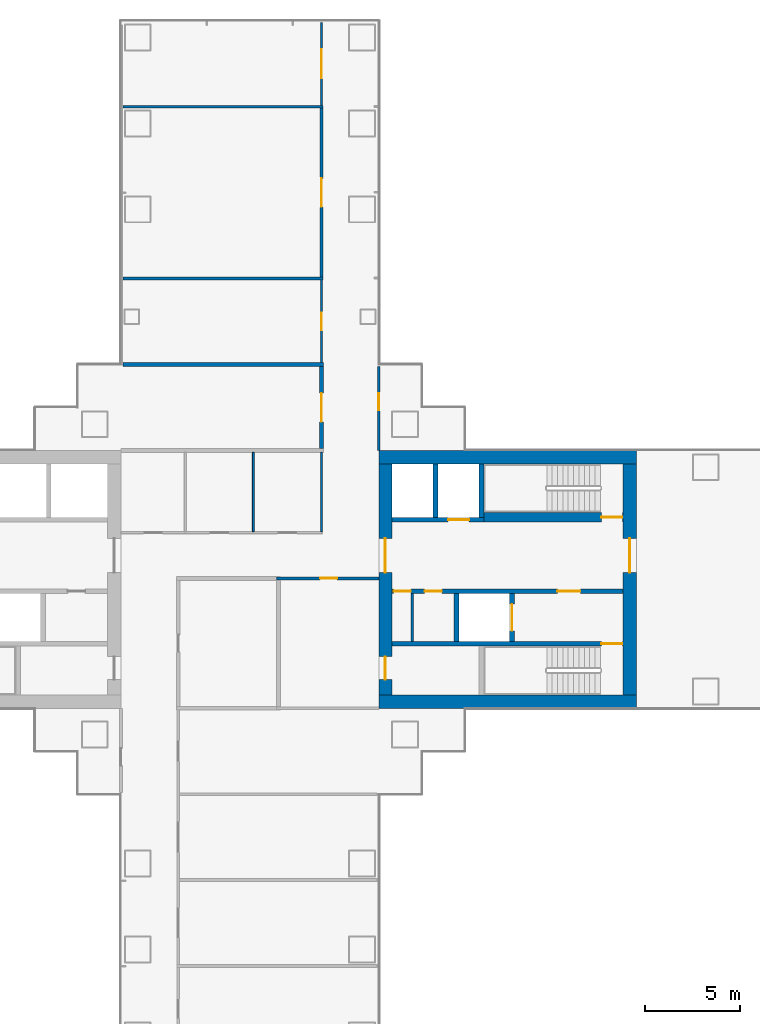
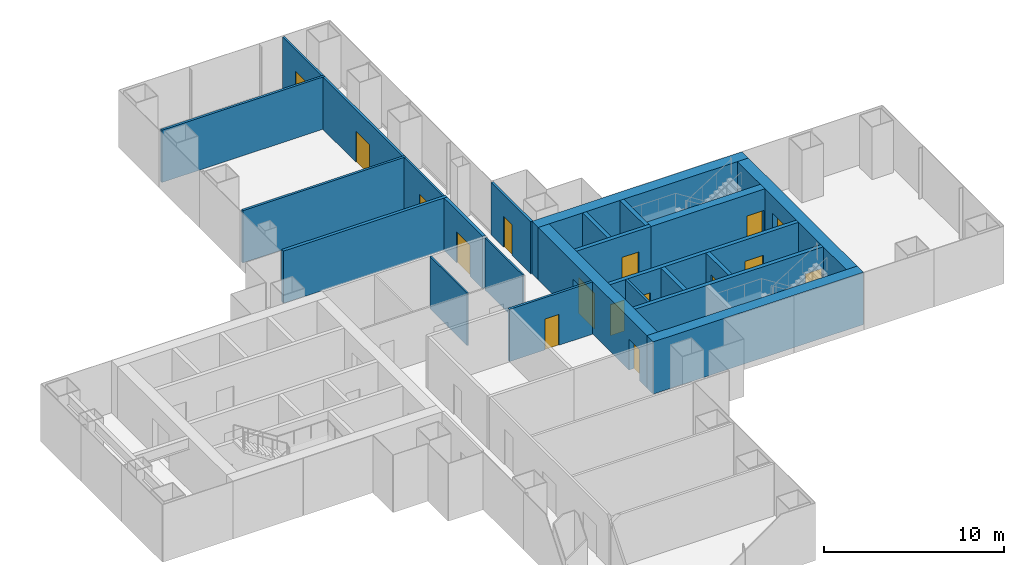
# One storey, part 17 of 21: 24 walls, 16 doors, 16 openings.
"""IFC4 building model written with IfcOpenShell, lengths in metres."""

from ifc_helpers import new_model, si_unit, direction, frame, frame_2d, origin, place, context, subcontext, project, spatial, rectangle, extrude, material, layer, layer_set, type_object, element, fill, save


model = new_model("IFC4")

# Units and contexts
model_context = context("Model", 3, precision=1e-05, world=origin(), true_north=direction((0.0, 1.0)))
body_context = subcontext(model_context, "Body", "Model", "MODEL_VIEW")
ifc_project = project(units=[si_unit("LENGTHUNIT", "METRE"), si_unit("AREAUNIT", "SQUARE_METRE"), si_unit("VOLUMEUNIT", "CUBIC_METRE"), si_unit("PLANEANGLEUNIT", "RADIAN"), si_unit("MASSUNIT", "GRAM", prefix="KILO")], contexts=[model_context])

# Site, building, storey
site_placement = place(None, origin())
site = spatial("IfcSite", under=ifc_project, at=site_placement, CompositionType="ELEMENT")
building_placement = place(site_placement, origin())
building = spatial("IfcBuilding", under=site, at=building_placement, Name="Shamsa Quay Exchange Towers", CompositionType="ELEMENT")
storey_placement = place(building_placement, frame((0.0, 0.0, 42.0)))
storey = spatial("IfcBuildingStorey", under=building, at=storey_placement, Name="L08", CompositionType="ELEMENT", Elevation=42.0)

# Walls
ifc_material_1 = material(Name="Concrete C80/95", Category="concrete")
ifc_layer_1 = layer(ifc_material_1, 0.699951171875)
ifc_layer_set_1 = layer_set([ifc_layer_1], Name="CORE WALL 700 C80/95")
wall_type_1 = type_object("IfcWallType", Name="CORE WALL 700 C80/95", PredefinedType="SHEAR", material=ifc_layer_set_1)
for number, where, z_axis, x_axis, name in (
    (1, (54.0, -6.39990234375, 0.0), (0.0, 0.0, 1.0), (-1.0, 0.0, 0.0), "Core wall T2B-R03-PS"),
    (2, (54.0, 6.39990234375, 0.0), (0.0, 0.0, 1.0), (-1.0, 0.0, 0.0), "Core wall T2B-R03-PN"),
):
    element("IfcWall", number, at=place(storey_placement, frame(where, z_axis=z_axis, x_axis=x_axis)), inside=storey, type_object=wall_type_1, Name=name, PredefinedType="SHEAR", context=body_context, shape_type="SweptSolid", body=[
        extrude(rectangle(XDim=13.5, YDim=0.699951171875, at=frame_2d((6.75, 0.0))), origin(), (0.0, 0.0, 1.0), 3.550048828125),
    ])

# Wall, opening, door
wall_1_placement = place(storey_placement, frame((53.64990234375, -6.050048828125, 0.0), z_axis=(0.0, 0.0, 1.0), x_axis=(0.0, 1.0, 0.0)))
wall_1 = element("IfcWall", 3, at=wall_1_placement, inside=storey, type_object=wall_type_1, Name="Core wall T2B-R03-PF", PredefinedType="SHEAR", context=body_context, shape_type="SweptSolid", body=[
    extrude(rectangle(XDim=12.10009765625, YDim=0.699951171875, at=frame_2d((6.050048828125, 0.0))), origin(), (0.0, 0.0, 1.0), 3.550048828125),
])
opening_1_placement = place(wall_1_placement, frame((6.39990234375, 0.0, 0.0)))
opening_1 = element("IfcOpeningElement", 4, at=opening_1_placement, cuts=wall_1, Name="Opening T2B-R03-LBD01", PredefinedType="OPENING", context=body_context, shape_type="SweptSolid", body=[
    extrude(rectangle(XDim=1.800048828125, YDim=2.39990234375, at=frame_2d((0.89990234375, 1.199951171875))), frame((0.0, 0.35986328125, 0.0), z_axis=(0.0, -1.0, 0.0), x_axis=(1.0, 0.0, 0.0)), (0.0, 0.0, 1.0), 0.719970703125),
])
ifc_material_2 = material(Name="Steel, fire rated", Category="steel")
door_type_1 = type_object("IfcDoorType", Name="LIFT LOBBY DOOR PAIR 1800", OperationType="DOUBLE_DOOR_SINGLE_SWING", PredefinedType="DOOR", material=ifc_material_2)
door_1_placement = place(opening_1_placement, origin())
door_1 = element("IfcDoor", 5, at=door_1_placement, inside=storey, type_object=door_type_1, Name="T2B-R03-LBD01", OperationType="DOUBLE_DOOR_SINGLE_SWING", OverallHeight=2.39990234375, OverallWidth=1.800048828125, PredefinedType="DOOR", context=body_context, shape_type="SweptSolid", body=[
    extrude(rectangle(XDim=1.800048828125, YDim=2.39990234375, at=frame_2d((0.89990234375, 1.199951171875))), frame((0.0, 0.02490234375, 0.0), z_axis=(0.0, -1.0, 0.0), x_axis=(1.0, 0.0, 0.0)), (0.0, 0.0, 1.0), 0.050048828125),
])
fill(opening_1, door_1)

# Wall, openings, doors
wall_2_placement = place(storey_placement, frame((40.85009765625, -6.050048828125, 0.0), z_axis=(0.0, 0.0, 1.0), x_axis=(0.0, 1.0, 0.0)))
wall_2 = element("IfcWall", 6, at=wall_2_placement, inside=storey, type_object=wall_type_1, Name="Core wall T2B-R03-PB", PredefinedType="SHEAR", context=body_context, shape_type="SweptSolid", body=[
    extrude(rectangle(XDim=12.10009765625, YDim=0.699951171875, at=frame_2d((6.050048828125, 0.0))), origin(), (0.0, 0.0, 1.0), 3.550048828125),
])
opening_2_placement = place(wall_2_placement, frame((0.800048828125, 0.0, 0.0)))
opening_2 = element("IfcOpeningElement", 7, at=opening_2_placement, cuts=wall_2, Name="Opening T2B-R03-RD02", PredefinedType="OPENING", context=body_context, shape_type="SweptSolid", body=[
    extrude(rectangle(XDim=1.199951171875, YDim=2.10009765625, at=frame_2d((0.60009765625, 1.050048828125))), frame((0.0, 0.35986328125, 0.0), z_axis=(0.0, -1.0, 0.0), x_axis=(1.0, 0.0, 0.0)), (0.0, 0.0, 1.0), 0.719970703125),
])
opening_3_placement = place(wall_2_placement, frame((6.39990234375, 0.0, 0.0)))
opening_3 = element("IfcOpeningElement", 8, at=opening_3_placement, cuts=wall_2, Name="Opening T2B-R03-LBD03", PredefinedType="OPENING", context=body_context, shape_type="SweptSolid", body=[
    extrude(rectangle(XDim=1.800048828125, YDim=2.39990234375, at=frame_2d((0.89990234375, 1.199951171875))), frame((0.0, 0.35986328125, 0.0), z_axis=(0.0, -1.0, 0.0), x_axis=(1.0, 0.0, 0.0)), (0.0, 0.0, 1.0), 0.719970703125),
])
door_2_placement = place(opening_3_placement, origin())
door_2 = element("IfcDoor", 9, at=door_2_placement, inside=storey, type_object=door_type_1, Name="T2B-R03-LBD03", OperationType="DOUBLE_DOOR_SINGLE_SWING", OverallHeight=2.39990234375, OverallWidth=1.800048828125, PredefinedType="DOOR", context=body_context, shape_type="SweptSolid", body=[
    extrude(rectangle(XDim=1.800048828125, YDim=2.39990234375, at=frame_2d((0.89990234375, 1.199951171875))), frame((0.0, 0.02490234375, 0.0), z_axis=(0.0, -1.0, 0.0), x_axis=(1.0, 0.0, 0.0)), (0.0, 0.0, 1.0), 0.050048828125),
])
fill(opening_3, door_2)
door_type_2 = type_object("IfcDoorType", Name="RISER ACCESS DOOR 1200", OperationType="SINGLE_SWING_LEFT", PredefinedType="DOOR", material=ifc_material_2)
door_3_placement = place(opening_2_placement, origin())
door_3 = element("IfcDoor", 10, at=door_3_placement, inside=storey, type_object=door_type_2, Name="T2B-R03-RD02", OperationType="SINGLE_SWING_LEFT", OverallHeight=2.10009765625, OverallWidth=1.199951171875, PredefinedType="DOOR", context=body_context, shape_type="SweptSolid", body=[
    extrude(rectangle(XDim=1.199951171875, YDim=2.10009765625, at=frame_2d((0.60009765625, 1.050048828125))), frame((0.0, 0.02490234375, 0.0), z_axis=(0.0, -1.0, 0.0), x_axis=(1.0, 0.0, 0.0)), (0.0, 0.0, 1.0), 0.050048828125),
])
fill(opening_2, door_3)

# Wall
ifc_material_3 = material(Name="Gypsum board on steel studs, EI 60", Category="steel")
ifc_layer_2 = layer(ifc_material_3, 0.14990234375)
ifc_layer_set_2 = layer_set([ifc_layer_2], Name="FIRE PARTITION 150")
wall_type_2 = type_object("IfcWallType", Name="FIRE PARTITION 150", PredefinedType="PARTITIONING", material=ifc_layer_set_2)
wall_3_placement = place(storey_placement, frame((42.25, -3.25, 0.0), z_axis=(0.0, 0.0, 1.0), x_axis=(0.0, 1.0, 0.0)))
element("IfcWall", 11, at=wall_3_placement, inside=storey, type_object=wall_type_2, Name="Partition T2B-R03-EC0", PredefinedType="PARTITIONING", context=body_context, shape_type="SweptSolid", body=[
    extrude(rectangle(XDim=2.5, YDim=0.14990234375, at=frame_2d((1.25, 0.0))), origin(), (0.0, 0.0, 1.0), 3.550048828125),
])

# Wall, opening, door
ifc_material_4 = material(Name="Laminated fire-resisting glass in a metal frame", Category="glass")
ifc_layer_3 = layer(ifc_material_4, 0.125)
ifc_layer_set_3 = layer_set([ifc_layer_3], Name="Glazed partition 125 mm EI 60")
wall_type_3 = type_object("IfcWallType", Name="Glazed partition 125 mm EI 60", PredefinedType="PARTITIONING", material=ifc_layer_set_3)
wall_4_placement = place(storey_placement, frame((37.5, 24.824951171875, 0.0), z_axis=(0.0, 0.0, 1.0), x_axis=(0.0, 1.0, 0.0)))
wall_4 = element("IfcWall", 12, at=wall_4_placement, inside=storey, type_object=wall_type_3, Name="Partition T2-R03-W02", PredefinedType="PARTITIONING", context=body_context, shape_type="SweptSolid", body=[
    extrude(rectangle(XDim=4.330078125, YDim=0.125, at=frame_2d((2.1650390625, 0.0))), origin(), (0.0, 0.0, 1.0), 3.550048828125),
])
opening_4_placement = place(wall_4_placement, frame((1.425048828125, 0.0, 0.0)))
opening_4 = element("IfcOpeningElement", 13, at=opening_4_placement, cuts=wall_4, Name="Opening T2-R03-D08", PredefinedType="OPENING", context=body_context, shape_type="SweptSolid", body=[
    extrude(rectangle(XDim=1.5, YDim=2.10009765625, at=frame_2d((0.75, 1.050048828125))), frame((0.0, 0.072509765625, 0.0), z_axis=(0.0, -1.0, 0.0), x_axis=(1.0, 0.0, 0.0)), (0.0, 0.0, 1.0), 0.14501953125),
])
ifc_material_5 = material(Name="Timber door leaf in a metal frame", Category="wood")
door_type_3 = type_object("IfcDoorType", Name="Door 1500x2100 FD30S pair", OperationType="NOTDEFINED", PredefinedType="DOOR", material=ifc_material_5)
door_4_placement = place(opening_4_placement, origin())
door_4 = element("IfcDoor", 14, at=door_4_placement, inside=storey, type_object=door_type_3, Name="Door T2-R03-D08", OperationType="DOUBLE_DOOR_SINGLE_SWING", OverallHeight=2.10009765625, OverallWidth=1.5, PredefinedType="DOOR", context=body_context, shape_type="SweptSolid", body=[
    extrude(rectangle(XDim=1.5, YDim=2.10009765625, at=frame_2d((0.75, 1.050048828125))), frame((0.0, 0.02490234375, 0.0), z_axis=(0.0, -1.0, 0.0), x_axis=(1.0, 0.0, 0.0)), (0.0, 0.0, 1.0), 0.050048828125),
])
fill(opening_4, door_4)

wall_5_placement = place(storey_placement, frame((37.5, 11.35009765625, 0.0), z_axis=(0.0, 0.0, 1.0), x_axis=(0.0, 1.0, 0.0)))
wall_5 = element("IfcWall", 15, at=wall_5_placement, inside=storey, type_object=wall_type_3, Name="Partition T2-R03-W03", PredefinedType="PARTITIONING", context=body_context, shape_type="SweptSolid", body=[
    extrude(rectangle(XDim=4.324951171875, YDim=0.125, at=frame_2d((2.16259765625, 0.0))), origin(), (0.0, 0.0, 1.0), 3.550048828125),
])
opening_5_placement = place(wall_5_placement, frame((1.699951171875, 0.0, 0.0)))
opening_5 = element("IfcOpeningElement", 16, at=opening_5_placement, cuts=wall_5, Name="Opening T2-R03-D06", PredefinedType="OPENING", context=body_context, shape_type="SweptSolid", body=[
    extrude(rectangle(XDim=0.89990234375, YDim=2.10009765625, at=frame_2d((0.449951171875, 1.050048828125))), frame((0.0, 0.072509765625, 0.0), z_axis=(0.0, -1.0, 0.0), x_axis=(1.0, 0.0, 0.0)), (0.0, 0.0, 1.0), 0.14501953125),
])
door_type_4 = type_object("IfcDoorType", Name="Door 900x2100 FD30S", OperationType="NOTDEFINED", PredefinedType="DOOR", material=ifc_material_5)
door_5_placement = place(opening_5_placement, origin())
door_5 = element("IfcDoor", 17, at=door_5_placement, inside=storey, type_object=door_type_4, Name="Door T2-R03-D06", OperationType="SINGLE_SWING_RIGHT", OverallHeight=2.10009765625, OverallWidth=0.89990234375, PredefinedType="DOOR", context=body_context, shape_type="SweptSolid", body=[
    extrude(rectangle(XDim=0.89990234375, YDim=2.10009765625, at=frame_2d((0.449951171875, 1.050048828125))), frame((0.0, 0.02490234375, 0.0), z_axis=(0.0, -1.0, 0.0), x_axis=(1.0, 0.0, 0.0)), (0.0, 0.0, 1.0), 0.050048828125),
])
fill(opening_5, door_5)

# Walls
ifc_material_6 = material(Name="Gypsum board partition on metal studs")
ifc_layer_4 = layer(ifc_material_6, 0.10009765625)
ifc_layer_set_4 = layer_set([ifc_layer_4], Name="Partition 100 mm NOT RATED")
wall_type_4 = type_object("IfcWallType", Name="Partition 100 mm NOT RATED", PredefinedType="PARTITIONING", material=ifc_layer_set_4)
for number, where, z_axis, x_axis, name in (
    (18, (37.5, 2.500244140625, 0.0), (0.0, 0.0, 1.0), (0.0, 1.0, 0.0), "Partition T2-R03-W05"),
    (19, (33.9375, 6.64990234375, 0.0), (0.0, 0.0, 1.0), (0.0, -1.0, 0.0), "Partition T2-R03-W18"),
):
    element("IfcWall", number, at=place(storey_placement, frame(where, z_axis=z_axis, x_axis=x_axis)), inside=storey, type_object=wall_type_4, Name=name, PredefinedType="PARTITIONING", context=body_context, shape_type="SweptSolid", body=[
        extrude(rectangle(XDim=4.149658203125, YDim=0.10009765625, at=frame_2d((2.07470703125, 0.0))), origin(), (0.0, 0.0, 1.0), 3.550048828125),
    ])

# Wall, opening, door
ifc_layer_5 = layer(ifc_material_6, 0.14990234375)
ifc_layer_set_5 = layer_set([ifc_layer_5], Name="Partition 150 mm EI 60")
wall_type_5 = type_object("IfcWallType", Name="Partition 150 mm EI 60", PredefinedType="PARTITIONING", material=ifc_layer_set_5)
wall_6_placement = place(storey_placement, frame((37.5, 15.824951171875, 0.0), z_axis=(0.0, 0.0, 1.0), x_axis=(0.0, 1.0, 0.0)))
wall_6 = element("IfcWall", 20, at=wall_6_placement, inside=storey, type_object=wall_type_5, Name="Partition T2-R03-W04", PredefinedType="PARTITIONING", context=body_context, shape_type="SweptSolid", body=[
    extrude(rectangle(XDim=8.85009765625, YDim=0.14990234375, at=frame_2d((4.425048828125, 0.0))), origin(), (0.0, 0.0, 1.0), 3.550048828125),
])
opening_6_placement = place(wall_6_placement, frame((3.675048828125, 0.0, 0.0)))
opening_6 = element("IfcOpeningElement", 21, at=opening_6_placement, cuts=wall_6, Name="Opening T2-R03-D07", PredefinedType="OPENING", context=body_context, shape_type="SweptSolid", body=[
    extrude(rectangle(XDim=1.5, YDim=2.10009765625, at=frame_2d((0.75, 1.050048828125))), frame((0.0, 0.0849609375, 0.0), z_axis=(0.0, -1.0, 0.0), x_axis=(1.0, 0.0, 0.0)), (0.0, 0.0, 1.0), 0.169921875),
])
door_6_placement = place(opening_6_placement, origin())
door_6 = element("IfcDoor", 22, at=door_6_placement, inside=storey, type_object=door_type_3, Name="Door T2-R03-D07", OperationType="DOUBLE_DOOR_SINGLE_SWING", OverallHeight=2.10009765625, OverallWidth=1.5, PredefinedType="DOOR", context=body_context, shape_type="SweptSolid", body=[
    extrude(rectangle(XDim=1.5, YDim=2.10009765625, at=frame_2d((0.75, 1.050048828125))), frame((0.0, 0.02490234375, 0.0), z_axis=(0.0, -1.0, 0.0), x_axis=(1.0, 0.0, 0.0)), (0.0, 0.0, 1.0), 0.050048828125),
])
fill(opening_6, door_6)

wall_7_placement = place(storey_placement, frame((40.5, 0.0498046875, 0.0), z_axis=(0.0, 0.0, 1.0), x_axis=(-1.0, 0.0, 0.0)))
wall_7 = element("IfcWall", 23, at=wall_7_placement, inside=storey, type_object=wall_type_5, Name="Partition T2-R03-W09", PredefinedType="PARTITIONING", context=body_context, shape_type="SweptSolid", body=[
    extrude(rectangle(XDim=5.35009765625, YDim=0.14990234375, at=frame_2d((2.675048828125, 0.0))), origin(), (0.0, 0.0, 1.0), 3.550048828125),
])
opening_7_placement = place(wall_7_placement, frame((2.175048828125, 0.0, 0.0)))
opening_7 = element("IfcOpeningElement", 24, at=opening_7_placement, cuts=wall_7, Name="Opening T2-R03-D09", PredefinedType="OPENING", context=body_context, shape_type="SweptSolid", body=[
    extrude(rectangle(XDim=0.89990234375, YDim=2.10009765625, at=frame_2d((0.449951171875, 1.050048828125))), frame((0.0, 0.0849609375, 0.0), z_axis=(0.0, -1.0, 0.0), x_axis=(1.0, 0.0, 0.0)), (0.0, 0.0, 1.0), 0.169921875),
])
door_7_placement = place(opening_7_placement, origin())
door_7 = element("IfcDoor", 25, at=door_7_placement, inside=storey, type_object=door_type_4, Name="Door T2-R03-D09", OperationType="SINGLE_SWING_LEFT", OverallHeight=2.10009765625, OverallWidth=0.89990234375, PredefinedType="DOOR", context=body_context, shape_type="SweptSolid", body=[
    extrude(rectangle(XDim=0.89990234375, YDim=2.10009765625, at=frame_2d((0.449951171875, 1.050048828125))), frame((0.0, 0.02490234375, 0.0), z_axis=(0.0, -1.0, 0.0), x_axis=(1.0, 0.0, 0.0)), (0.0, 0.0, 1.0), 0.050048828125),
])
fill(opening_7, door_7)

wall_8_placement = place(storey_placement, frame((40.5, 11.155029296875, 0.0), z_axis=(0.0, 0.0, 1.0), x_axis=(0.0, -1.0, 0.0)))
wall_8 = element("IfcWall", 26, at=wall_8_placement, inside=storey, type_object=wall_type_5, Name="Partition T2-R03-W12", PredefinedType="PARTITIONING", context=body_context, shape_type="SweptSolid", body=[
    extrude(rectangle(XDim=4.405029296875, YDim=0.14990234375, at=frame_2d((2.20263671875, 0.0))), origin(), (0.0, 0.0, 1.0), 3.550048828125),
])
opening_8_placement = place(wall_8_placement, frame((1.405029296875, 0.0, 0.0)))
opening_8 = element("IfcOpeningElement", 27, at=opening_8_placement, cuts=wall_8, Name="Opening T2-R03-D01", PredefinedType="OPENING", context=body_context, shape_type="SweptSolid", body=[
    extrude(rectangle(XDim=0.89990234375, YDim=2.10009765625, at=frame_2d((0.449951171875, 1.050048828125))), frame((0.0, 0.0849609375, 0.0), z_axis=(0.0, -1.0, 0.0), x_axis=(1.0, 0.0, 0.0)), (0.0, 0.0, 1.0), 0.169921875),
])
door_8_placement = place(opening_8_placement, origin())
door_8 = element("IfcDoor", 28, at=door_8_placement, inside=storey, type_object=door_type_4, Name="Door T2-R03-D01", OperationType="SINGLE_SWING_LEFT", OverallHeight=2.10009765625, OverallWidth=0.89990234375, PredefinedType="DOOR", context=body_context, shape_type="SweptSolid", body=[
    extrude(rectangle(XDim=0.89990234375, YDim=2.10009765625, at=frame_2d((0.449951171875, 1.050048828125))), frame((0.0, 0.02490234375, 0.0), z_axis=(0.0, -1.0, 0.0), x_axis=(1.0, 0.0, 0.0)), (0.0, 0.0, 1.0), 0.050048828125),
])
fill(opening_8, door_8)

# Walls
for number, where, z_axis, x_axis, name in (
    (29, (37.574951171875, 15.75, 0.0), (0.0, 0.0, 1.0), (-1.0, 0.0, 0.0), "Partition T2-R03-W16"),
    (30, (37.574951171875, 24.75, 0.0), (0.0, 0.0, 1.0), (-1.0, 0.0, 0.0), "Partition T2-R03-W17"),
):
    element("IfcWall", number, at=place(storey_placement, frame(where, z_axis=z_axis, x_axis=x_axis)), inside=storey, type_object=wall_type_5, Name=name, PredefinedType="PARTITIONING", context=body_context, shape_type="SweptSolid", body=[
        extrude(rectangle(XDim=10.47998046875, YDim=0.14990234375, at=frame_2d((5.239990234375, 0.0))), origin(), (0.0, 0.0, 1.0), 3.550048828125),
    ])

# Wall, opening, door
ifc_layer_6 = layer(ifc_material_6, 0.199951171875)
ifc_layer_set_6 = layer_set([ifc_layer_6], Name="Partition 200 mm EI 90")
wall_type_6 = type_object("IfcWallType", Name="Partition 200 mm EI 90", PredefinedType="PARTITIONING", material=ifc_layer_set_6)
wall_9_placement = place(storey_placement, frame((37.5, 6.85009765625, 0.0), z_axis=(0.0, 0.0, 1.0), x_axis=(0.0, 1.0, 0.0)))
wall_9 = element("IfcWall", 31, at=wall_9_placement, inside=storey, type_object=wall_type_6, Name="Partition T2-R03-W01", PredefinedType="PARTITIONING", context=body_context, shape_type="SweptSolid", body=[
    extrude(rectangle(XDim=4.2998046875, YDim=0.199951171875, at=frame_2d((2.14990234375, 0.0))), origin(), (0.0, 0.0, 1.0), 3.550048828125),
])
opening_9_placement = place(wall_9_placement, frame((1.39990234375, 0.0, 0.0)))
opening_9 = element("IfcOpeningElement", 32, at=opening_9_placement, cuts=wall_9, Name="Opening T2-R03-D05", PredefinedType="OPENING", context=body_context, shape_type="SweptSolid", body=[
    extrude(rectangle(XDim=1.5, YDim=2.10009765625, at=frame_2d((0.75, 1.050048828125))), frame((0.0, 0.10986328125, 0.0), z_axis=(0.0, -1.0, 0.0), x_axis=(1.0, 0.0, 0.0)), (0.0, 0.0, 1.0), 0.219970703125),
])
door_9_placement = place(opening_9_placement, origin())
door_9 = element("IfcDoor", 33, at=door_9_placement, inside=storey, type_object=door_type_3, Name="Door T2-R03-D05", OperationType="DOUBLE_DOOR_SINGLE_SWING", OverallHeight=2.10009765625, OverallWidth=1.5, PredefinedType="DOOR", context=body_context, shape_type="SweptSolid", body=[
    extrude(rectangle(XDim=1.5, YDim=2.10009765625, at=frame_2d((0.75, 1.050048828125))), frame((0.0, 0.02490234375, 0.0), z_axis=(0.0, -1.0, 0.0), x_axis=(1.0, 0.0, 0.0)), (0.0, 0.0, 1.0), 0.050048828125),
])
fill(opening_9, door_9)

# Wall
wall_10_placement = place(storey_placement, frame((37.60009765625, 11.25, 0.0), z_axis=(0.0, 0.0, 1.0), x_axis=(-1.0, 0.0, 0.0)))
element("IfcWall", 34, at=wall_10_placement, inside=storey, type_object=wall_type_6, Name="Partition T2-R03-W14", PredefinedType="PARTITIONING", context=body_context, shape_type="SweptSolid", body=[
    extrude(rectangle(XDim=10.505126953125, YDim=0.199951171875, at=frame_2d((5.25244140625, 0.0))), origin(), (0.0, 0.0, 1.0), 3.550048828125),
])

# Wall, opening, door
ifc_material_7 = material(Name="Concrete C50/60", Category="concrete")
ifc_layer_7 = layer(ifc_material_7, 0.25)
ifc_layer_set_7 = layer_set([ifc_layer_7], Name="SHAFT WALL 250 C50/60")
wall_type_7 = type_object("IfcWallType", Name="SHAFT WALL 250 C50/60", PredefinedType="SHEAR", material=ifc_layer_set_7)
wall_11_placement = place(storey_placement, frame((53.300048828125, -3.375, 0.0), z_axis=(0.0, 0.0, 1.0), x_axis=(-1.0, 0.0, 0.0)))
wall_11 = element("IfcWall", 35, at=wall_11_placement, inside=storey, type_object=wall_type_7, Name="Shaft wall T2B-R03-STL", PredefinedType="SHEAR", context=body_context, shape_type="SweptSolid", body=[
    extrude(rectangle(XDim=12.10009765625, YDim=0.25, at=frame_2d((6.050048828125, 0.0))), origin(), (0.0, 0.0, 1.0), 3.550048828125),
])
opening_10_placement = place(wall_11_placement, frame((0.050048828125, 0.0, 0.0)))
opening_10 = element("IfcOpeningElement", 36, at=opening_10_placement, cuts=wall_11, Name="Opening T2B-R03-SD04", PredefinedType="OPENING", context=body_context, shape_type="SweptSolid", body=[
    extrude(rectangle(XDim=1.10009765625, YDim=2.10009765625, at=frame_2d((0.550048828125, 1.050048828125))), frame((0.0, 0.135009765625, 0.0), z_axis=(0.0, -1.0, 0.0), x_axis=(1.0, 0.0, 0.0)), (0.0, 0.0, 1.0), 0.27001953125),
])
door_type_5 = type_object("IfcDoorType", Name="STAIR DOOR 1100", OperationType="SINGLE_SWING_LEFT", PredefinedType="DOOR", material=ifc_material_2)
door_10_placement = place(opening_10_placement, origin())
door_10 = element("IfcDoor", 37, at=door_10_placement, inside=storey, type_object=door_type_5, Name="T2B-R03-SD04", OperationType="SINGLE_SWING_LEFT", OverallHeight=2.10009765625, OverallWidth=1.10009765625, PredefinedType="DOOR", context=body_context, shape_type="SweptSolid", body=[
    extrude(rectangle(XDim=1.10009765625, YDim=2.10009765625, at=frame_2d((0.550048828125, 1.050048828125))), frame((0.0, 0.02490234375, 0.0), z_axis=(0.0, -1.0, 0.0), x_axis=(1.0, 0.0, 0.0)), (0.0, 0.0, 1.0), 0.050048828125),
])
fill(opening_10, door_10)

# Wall, openings, doors
wall_12_placement = place(storey_placement, frame((53.300048828125, -0.625, 0.0), z_axis=(0.0, 0.0, 1.0), x_axis=(-1.0, 0.0, 0.0)))
wall_12 = element("IfcWall", 38, at=wall_12_placement, inside=storey, type_object=wall_type_7, Name="Shaft wall T2B-R03-B", PredefinedType="SHEAR", context=body_context, shape_type="SweptSolid", body=[
    extrude(rectangle(XDim=12.10009765625, YDim=0.25, at=frame_2d((6.050048828125, 0.0))), origin(), (0.0, 0.0, 1.0), 3.550048828125),
])
opening_11_placement = place(wall_12_placement, frame((2.25, 0.0, 0.0)))
opening_11 = element("IfcOpeningElement", 39, at=opening_11_placement, cuts=wall_12, Name="Opening T2B-R03-FD05", PredefinedType="OPENING", context=body_context, shape_type="SweptSolid", body=[
    extrude(rectangle(XDim=1.199951171875, YDim=2.10009765625, at=frame_2d((0.60009765625, 1.050048828125))), frame((0.0, 0.135009765625, 0.0), z_axis=(0.0, -1.0, 0.0), x_axis=(1.0, 0.0, 0.0)), (0.0, 0.0, 1.0), 0.27001953125),
])
opening_12_placement = place(wall_12_placement, frame((9.5, 0.0, 0.0)))
opening_12 = element("IfcOpeningElement", 40, at=opening_12_placement, cuts=wall_12, Name="Opening T2B-R03-SV06", PredefinedType="OPENING", context=body_context, shape_type="SweptSolid", body=[
    extrude(rectangle(XDim=0.89990234375, YDim=2.10009765625, at=frame_2d((0.449951171875, 1.050048828125))), frame((0.0, 0.135009765625, 0.0), z_axis=(0.0, -1.0, 0.0), x_axis=(1.0, 0.0, 0.0)), (0.0, 0.0, 1.0), 0.27001953125),
])
opening_13_placement = place(wall_12_placement, frame((11.125, 0.0, 0.0)))
opening_13 = element("IfcOpeningElement", 41, at=opening_13_placement, cuts=wall_12, Name="Opening T2B-R03-SV07", PredefinedType="OPENING", context=body_context, shape_type="SweptSolid", body=[
    extrude(rectangle(XDim=0.89990234375, YDim=2.10009765625, at=frame_2d((0.449951171875, 1.050048828125))), frame((0.0, 0.135009765625, 0.0), z_axis=(0.0, -1.0, 0.0), x_axis=(1.0, 0.0, 0.0)), (0.0, 0.0, 1.0), 0.27001953125),
])
door_type_6 = type_object("IfcDoorType", Name="FIRE SERVICE LOBBY DOOR 1200", OperationType="SINGLE_SWING_LEFT", PredefinedType="DOOR", material=ifc_material_2)
door_11_placement = place(opening_11_placement, origin())
door_11 = element("IfcDoor", 42, at=door_11_placement, inside=storey, type_object=door_type_6, Name="T2B-R03-FD05", OperationType="SINGLE_SWING_LEFT", OverallHeight=2.10009765625, OverallWidth=1.199951171875, PredefinedType="DOOR", context=body_context, shape_type="SweptSolid", body=[
    extrude(rectangle(XDim=1.199951171875, YDim=2.10009765625, at=frame_2d((0.60009765625, 1.050048828125))), frame((0.0, 0.02490234375, 0.0), z_axis=(0.0, -1.0, 0.0), x_axis=(1.0, 0.0, 0.0)), (0.0, 0.0, 1.0), 0.050048828125),
])
fill(opening_11, door_11)
door_type_7 = type_object("IfcDoorType", Name="SERVICE ROOM DOOR 900", OperationType="SINGLE_SWING_LEFT", PredefinedType="DOOR", material=ifc_material_2)
door_12_placement = place(opening_12_placement, origin())
door_12 = element("IfcDoor", 43, at=door_12_placement, inside=storey, type_object=door_type_7, Name="T2B-R03-SV06", OperationType="SINGLE_SWING_RIGHT", OverallHeight=2.10009765625, OverallWidth=0.89990234375, PredefinedType="DOOR", context=body_context, shape_type="SweptSolid", body=[
    extrude(rectangle(XDim=0.89990234375, YDim=2.10009765625, at=frame_2d((0.449951171875, 1.050048828125))), frame((0.0, 0.02490234375, 0.0), z_axis=(0.0, -1.0, 0.0), x_axis=(1.0, 0.0, 0.0)), (0.0, 0.0, 1.0), 0.050048828125),
])
fill(opening_12, door_12)
door_13_placement = place(opening_13_placement, origin())
door_13 = element("IfcDoor", 44, at=door_13_placement, inside=storey, type_object=door_type_7, Name="T2B-R03-SV07", OperationType="SINGLE_SWING_RIGHT", OverallHeight=2.10009765625, OverallWidth=0.89990234375, PredefinedType="DOOR", context=body_context, shape_type="SweptSolid", body=[
    extrude(rectangle(XDim=0.89990234375, YDim=2.10009765625, at=frame_2d((0.449951171875, 1.050048828125))), frame((0.0, 0.02490234375, 0.0), z_axis=(0.0, -1.0, 0.0), x_axis=(1.0, 0.0, 0.0)), (0.0, 0.0, 1.0), 0.050048828125),
])
fill(opening_13, door_13)

# Wall, opening, door
wall_13_placement = place(storey_placement, frame((47.47509765625, -3.25, 0.0), z_axis=(0.0, 0.0, 1.0), x_axis=(0.0, 1.0, 0.0)))
wall_13 = element("IfcWall", 45, at=wall_13_placement, inside=storey, type_object=wall_type_7, Name="Shaft wall T2B-R03-FFF", PredefinedType="SHEAR", context=body_context, shape_type="SweptSolid", body=[
    extrude(rectangle(XDim=2.5, YDim=0.25, at=frame_2d((1.25, 0.0))), origin(), (0.0, 0.0, 1.0), 3.550048828125),
])
opening_14_placement = place(wall_13_placement, frame((0.550048828125, 0.0, 0.0)))
opening_14 = element("IfcOpeningElement", 46, at=opening_14_placement, cuts=wall_13, Name="Opening T2B-R03-LDG08", PredefinedType="OPENING", context=body_context, shape_type="SweptSolid", body=[
    extrude(rectangle(XDim=1.39990234375, YDim=2.39990234375, at=frame_2d((0.699951171875, 1.199951171875))), frame((0.0, 0.135009765625, 0.0), z_axis=(0.0, -1.0, 0.0), x_axis=(1.0, 0.0, 0.0)), (0.0, 0.0, 1.0), 0.27001953125),
])
door_type_8 = type_object("IfcDoorType", Name="GOODS LIFT LANDING DOOR 1400", OperationType="SLIDING_TO_LEFT", PredefinedType="DOOR", material=ifc_material_2)
door_14_placement = place(opening_14_placement, origin())
door_14 = element("IfcDoor", 47, at=door_14_placement, inside=storey, type_object=door_type_8, Name="T2B-R03-LDG08", OperationType="SLIDING_TO_LEFT", OverallHeight=2.39990234375, OverallWidth=1.39990234375, PredefinedType="DOOR", context=body_context, shape_type="SweptSolid", body=[
    extrude(rectangle(XDim=1.39990234375, YDim=2.39990234375, at=frame_2d((0.699951171875, 1.199951171875))), frame((0.0, 0.02490234375, 0.0), z_axis=(0.0, -1.0, 0.0), x_axis=(1.0, 0.0, 0.0)), (0.0, 0.0, 1.0), 0.050048828125),
])
fill(opening_14, door_14)

# Wall
wall_14_placement = place(storey_placement, frame((44.574951171875, -3.25, 0.0), z_axis=(0.0, 0.0, 1.0), x_axis=(0.0, 1.0, 0.0)))
element("IfcWall", 48, at=wall_14_placement, inside=storey, type_object=wall_type_7, Name="Shaft wall T2B-R03-FFB", PredefinedType="SHEAR", context=body_context, shape_type="SweptSolid", body=[
    extrude(rectangle(XDim=2.5, YDim=0.25, at=frame_2d((1.25, 0.0))), origin(), (0.0, 0.0, 1.0), 3.550048828125),
])

# Wall, opening, door
wall_15_placement = place(storey_placement, frame((46.0, 3.125, 0.0), z_axis=(0.0, 0.0, 1.0), x_axis=(-1.0, 0.0, 0.0)))
wall_15 = element("IfcWall", 49, at=wall_15_placement, inside=storey, type_object=wall_type_7, Name="Shaft wall T2B-R03-N2", PredefinedType="SHEAR", context=body_context, shape_type="SweptSolid", body=[
    extrude(rectangle(XDim=4.800048828125, YDim=0.25, at=frame_2d((2.39990234375, 0.0))), origin(), (0.0, 0.0, 1.0), 3.550048828125),
])
opening_15_placement = place(wall_15_placement, frame((0.77490234375, 0.0, 0.0)))
opening_15 = element("IfcOpeningElement", 50, at=opening_15_placement, cuts=wall_15, Name="Opening T2B-R03-LD10", PredefinedType="OPENING", context=body_context, shape_type="SweptSolid", body=[
    extrude(rectangle(XDim=1.10009765625, YDim=2.10009765625, at=frame_2d((0.550048828125, 1.050048828125))), frame((0.0, 0.135009765625, 0.0), z_axis=(0.0, -1.0, 0.0), x_axis=(1.0, 0.0, 0.0)), (0.0, 0.0, 1.0), 0.27001953125),
])
door_type_9 = type_object("IfcDoorType", Name="LANDING DOOR 1100", OperationType="SLIDING_TO_LEFT", PredefinedType="DOOR", material=ifc_material_2)
door_15_placement = place(opening_15_placement, origin())
door_15 = element("IfcDoor", 51, at=door_15_placement, inside=storey, type_object=door_type_9, Name="T2B-R03-LD10", OperationType="SLIDING_TO_LEFT", OverallHeight=2.10009765625, OverallWidth=1.10009765625, PredefinedType="DOOR", context=body_context, shape_type="SweptSolid", body=[
    extrude(rectangle(XDim=1.10009765625, YDim=2.10009765625, at=frame_2d((0.550048828125, 1.050048828125))), frame((0.0, 0.02490234375, 0.0), z_axis=(0.0, -1.0, 0.0), x_axis=(1.0, 0.0, 0.0)), (0.0, 0.0, 1.0), 0.050048828125),
])
fill(opening_15, door_15)

# Walls
for number, where, z_axis, x_axis, name in (
    (52, (45.875, 3.25, 0.0), (0.0, 0.0, 1.0), (0.0, 1.0, 0.0), "Shaft wall T2B-R03-STF2"),
    (53, (43.47509765625, 3.25, 0.0), (0.0, 0.0, 1.0), (0.0, 1.0, 0.0), "Shaft wall T2B-R03-D0"),
):
    element("IfcWall", number, at=place(storey_placement, frame(where, z_axis=z_axis, x_axis=x_axis)), inside=storey, type_object=wall_type_7, Name=name, PredefinedType="SHEAR", context=body_context, shape_type="SweptSolid", body=[
        extrude(rectangle(XDim=2.800048828125, YDim=0.25, at=frame_2d((1.39990234375, 0.0))), origin(), (0.0, 0.0, 1.0), 3.550048828125),
    ])

# Wall, opening, door
ifc_layer_8 = layer(ifc_material_7, 0.5)
ifc_layer_set_8 = layer_set([ifc_layer_8], Name="SHAFT WALL 500 C50/60")
wall_type_8 = type_object("IfcWallType", Name="SHAFT WALL 500 C50/60", PredefinedType="SHEAR", material=ifc_layer_set_8)
wall_16_placement = place(storey_placement, frame((46.0, 3.25, 0.0)))
wall_16 = element("IfcWall", 54, at=wall_16_placement, inside=storey, type_object=wall_type_8, Name="Shaft wall T2B-R03-N", PredefinedType="SHEAR", context=body_context, shape_type="SweptSolid", body=[
    extrude(rectangle(XDim=7.300048828125, YDim=0.5, at=frame_2d((3.64990234375, 0.0))), origin(), (0.0, 0.0, 1.0), 3.550048828125),
])
opening_16_placement = place(wall_16_placement, frame((6.14990234375, 0.0, 0.0)))
opening_16 = element("IfcOpeningElement", 55, at=opening_16_placement, cuts=wall_16, Name="Opening T2B-R03-SD09", PredefinedType="OPENING", context=body_context, shape_type="SweptSolid", body=[
    extrude(rectangle(XDim=1.10009765625, YDim=2.10009765625, at=frame_2d((0.550048828125, 1.050048828125))), frame((0.0, 0.260009765625, 0.0), z_axis=(0.0, -1.0, 0.0), x_axis=(1.0, 0.0, 0.0)), (0.0, 0.0, 1.0), 0.52001953125),
])
door_16_placement = place(opening_16_placement, origin())
door_16 = element("IfcDoor", 56, at=door_16_placement, inside=storey, type_object=door_type_5, Name="T2B-R03-SD09", OperationType="SINGLE_SWING_RIGHT", OverallHeight=2.10009765625, OverallWidth=1.10009765625, PredefinedType="DOOR", context=body_context, shape_type="SweptSolid", body=[
    extrude(rectangle(XDim=1.10009765625, YDim=2.10009765625, at=frame_2d((0.550048828125, 1.050048828125))), frame((0.0, 0.02490234375, 0.0), z_axis=(0.0, -1.0, 0.0), x_axis=(1.0, 0.0, 0.0)), (0.0, 0.0, 1.0), 0.050048828125),
])
fill(opening_16, door_16)

save(model, "model.ifc")
